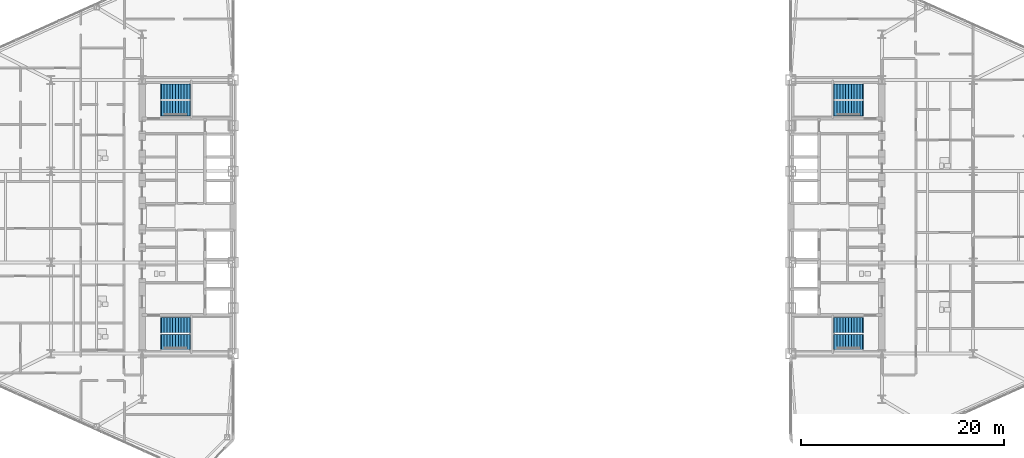
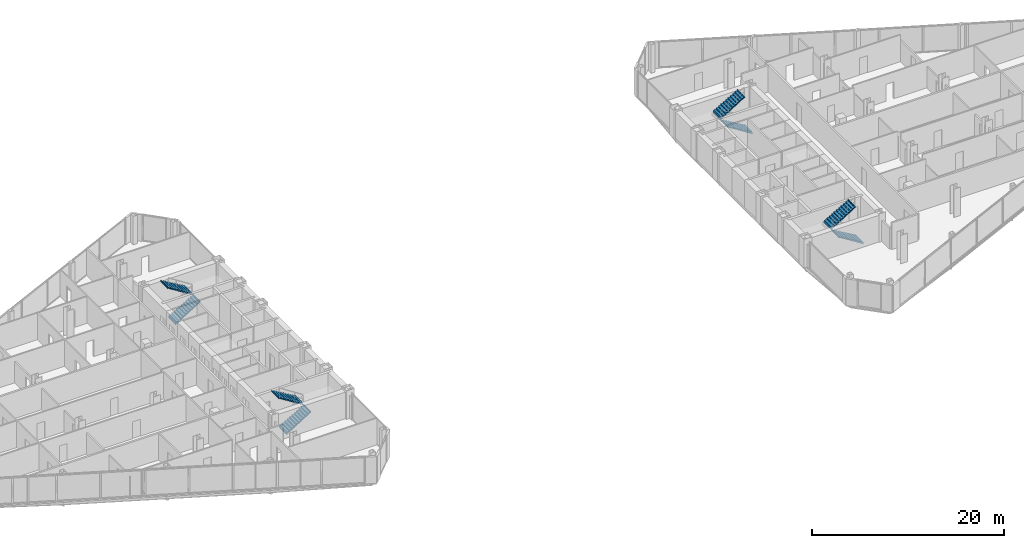
# One storey, part 25 of 27: 8 stair flights, 4 elements without a shape of their own.
"""IFC4 building model written with IfcOpenShell, lengths in metres."""

from ifc_helpers import new_model, si_unit, direction, frame, origin, place, context, subcontext, project, spatial, polyline, outline, extrude, material, type_object, element, aggregate, save


model = new_model("IFC4")

# Units and contexts
model_context = context("Model", 3, precision=1e-05, world=origin(), true_north=direction((0.0, 1.0)))
body_context = subcontext(model_context, "Body", "Model", "MODEL_VIEW")
ifc_project = project(units=[si_unit("LENGTHUNIT", "METRE"), si_unit("AREAUNIT", "SQUARE_METRE"), si_unit("VOLUMEUNIT", "CUBIC_METRE"), si_unit("PLANEANGLEUNIT", "RADIAN"), si_unit("MASSUNIT", "GRAM", prefix="KILO")], contexts=[model_context])

# Site, building, storey
site_placement = place(None, origin())
site = spatial("IfcSite", under=ifc_project, at=site_placement, CompositionType="ELEMENT")
building_placement = place(site_placement, origin())
building = spatial("IfcBuilding", under=site, at=building_placement, Name="Seokmaru Belvedere", CompositionType="ELEMENT")
storey_placement = place(building_placement, frame((0.0, 0.0, 103.199951171875)))
storey = spatial("IfcBuildingStorey", under=building, at=storey_placement, Name="L27", CompositionType="ELEMENT", Elevation=103.199951171875)

# Stair, stair flights
ifc_material = material(Name="Concrete C40 (40 MPa)", Category="concrete")
stair_type = type_object("IfcStairType", Name="Typical Tower Core Dog-Leg Stair 3600", PredefinedType="TWO_STRAIGHT_RUN_STAIR", material=ifc_material)
stair_1_placement = place(storey_placement, origin())
stair_1 = element("IfcStair", 1, at=stair_1_placement, inside=storey, type_object=stair_type, Name="L27 Special Escape Stair ST-W1", PredefinedType="TWO_STRAIGHT_RUN_STAIR")
stair_flight_type = type_object("IfcStairFlightType", Name="Reinforced Concrete Stair Flight 1500", PredefinedType="STRAIGHT", material=ifc_material)
stair_flight_1_placement = place(storey_placement, frame((-34.60009765625, -12.35009765625, 0.0), z_axis=(0.0, 0.0, 1.0), x_axis=(1.0, 0.0, 0.0)))
stair_flight_1 = element("IfcStairFlight", 2, at=stair_flight_1_placement, type_object=stair_flight_type, Name="ST-W1 flight 1", NumberOfRisers=11, NumberOfTreads=10, PredefinedType="STRAIGHT", RiserHeight=0.163636364, TreadLength=0.28, context=body_context, shape_type="SweptSolid", body=[
    extrude(outline(polyline([(-0.080078125, 0.0), (0.0, 0.16357421875), (0.280029296875, 0.16357421875), (0.280029296875, 0.327392578125), (0.56005859375, 0.327392578125), (0.56005859375, 0.490966796875), (0.840087890625, 0.490966796875), (0.840087890625, 0.654541015625), (1.1201171875, 0.654541015625), (1.1201171875, 0.818115234375), (1.39990234375, 0.818115234375), (1.39990234375, 0.98193359375), (1.679931640625, 0.98193359375), (1.679931640625, 1.1455078125), (1.9599609375, 1.1455078125), (1.9599609375, 1.30908203125), (2.239990234375, 1.30908203125), (2.239990234375, 1.47265625), (2.52001953125, 1.47265625), (2.52001953125, 1.636474609375), (2.800048828125, 1.636474609375), (2.800048828125, 1.800048828125), (2.8798828125, 1.800048828125), (2.8798828125, 1.610107421875), (2.800048828125, 1.610107421875), (0.0, -0.159912109375), (-0.080078125, -0.159912109375), (-0.080078125, 0.0)])), frame((0.0, 0.75, 0.0), z_axis=(0.0, -1.0, 0.0), x_axis=(1.0, 0.0, 0.0)), (0.0, 0.0, 1.0), 1.5),
])
stair_flight_2_placement = place(storey_placement, frame((-31.800048828125, -10.7099609375, 1.800048828125), z_axis=(0.0, 0.0, 1.0), x_axis=(-1.0, 0.0, 0.0)))
stair_flight_2 = element("IfcStairFlight", 3, at=stair_flight_2_placement, type_object=stair_flight_type, Name="ST-W1 flight 2", NumberOfRisers=11, NumberOfTreads=10, PredefinedType="STRAIGHT", RiserHeight=0.163636364, TreadLength=0.28, context=body_context, shape_type="SweptSolid", body=[
    extrude(outline(polyline([(-0.080078125, 0.0), (0.0, 0.16357421875), (0.280029296875, 0.16357421875), (0.280029296875, 0.327392578125), (0.56005859375, 0.327392578125), (0.56005859375, 0.490966796875), (0.840087890625, 0.490966796875), (0.840087890625, 0.654541015625), (1.1201171875, 0.654541015625), (1.1201171875, 0.818115234375), (1.39990234375, 0.818115234375), (1.39990234375, 0.98193359375), (1.679931640625, 0.98193359375), (1.679931640625, 1.1455078125), (1.9599609375, 1.1455078125), (1.9599609375, 1.30908203125), (2.239990234375, 1.30908203125), (2.239990234375, 1.47265625), (2.52001953125, 1.47265625), (2.52001953125, 1.636474609375), (2.800048828125, 1.636474609375), (2.800048828125, 1.800048828125), (2.8798828125, 1.800048828125), (2.8798828125, 1.610107421875), (2.800048828125, 1.610107421875), (0.0, -0.159912109375), (-0.080078125, -0.159912109375), (-0.080078125, 0.0)])), frame((0.0, 0.75, 0.0), z_axis=(0.0, -1.0, 0.0), x_axis=(1.0, 0.0, 0.0)), (0.0, 0.0, 1.0), 1.5),
])
aggregate(stair_1, [stair_flight_1, stair_flight_2])

stair_2_placement = place(storey_placement, origin())
stair_2 = element("IfcStair", 4, at=stair_2_placement, inside=storey, type_object=stair_type, Name="L27 Special Escape Stair ST-W2", PredefinedType="TWO_STRAIGHT_RUN_STAIR")
stair_flight_3_placement = place(storey_placement, frame((-34.60009765625, 10.7099609375, 0.0), z_axis=(0.0, 0.0, 1.0), x_axis=(1.0, 0.0, 0.0)))
stair_flight_3 = element("IfcStairFlight", 5, at=stair_flight_3_placement, type_object=stair_flight_type, Name="ST-W2 flight 1", NumberOfRisers=11, NumberOfTreads=10, PredefinedType="STRAIGHT", RiserHeight=0.163636364, TreadLength=0.28, context=body_context, shape_type="SweptSolid", body=[
    extrude(outline(polyline([(-0.080078125, 0.0), (0.0, 0.16357421875), (0.280029296875, 0.16357421875), (0.280029296875, 0.327392578125), (0.56005859375, 0.327392578125), (0.56005859375, 0.490966796875), (0.840087890625, 0.490966796875), (0.840087890625, 0.654541015625), (1.1201171875, 0.654541015625), (1.1201171875, 0.818115234375), (1.39990234375, 0.818115234375), (1.39990234375, 0.98193359375), (1.679931640625, 0.98193359375), (1.679931640625, 1.1455078125), (1.9599609375, 1.1455078125), (1.9599609375, 1.30908203125), (2.239990234375, 1.30908203125), (2.239990234375, 1.47265625), (2.52001953125, 1.47265625), (2.52001953125, 1.636474609375), (2.800048828125, 1.636474609375), (2.800048828125, 1.800048828125), (2.8798828125, 1.800048828125), (2.8798828125, 1.610107421875), (2.800048828125, 1.610107421875), (0.0, -0.159912109375), (-0.080078125, -0.159912109375), (-0.080078125, 0.0)])), frame((0.0, 0.75, 0.0), z_axis=(0.0, -1.0, 0.0), x_axis=(1.0, 0.0, 0.0)), (0.0, 0.0, 1.0), 1.5),
])
stair_flight_4_placement = place(storey_placement, frame((-31.800048828125, 12.35009765625, 1.800048828125), z_axis=(0.0, 0.0, 1.0), x_axis=(-1.0, 0.0, 0.0)))
stair_flight_4 = element("IfcStairFlight", 6, at=stair_flight_4_placement, type_object=stair_flight_type, Name="ST-W2 flight 2", NumberOfRisers=11, NumberOfTreads=10, PredefinedType="STRAIGHT", RiserHeight=0.163636364, TreadLength=0.28, context=body_context, shape_type="SweptSolid", body=[
    extrude(outline(polyline([(-0.080078125, 0.0), (0.0, 0.16357421875), (0.280029296875, 0.16357421875), (0.280029296875, 0.327392578125), (0.56005859375, 0.327392578125), (0.56005859375, 0.490966796875), (0.840087890625, 0.490966796875), (0.840087890625, 0.654541015625), (1.1201171875, 0.654541015625), (1.1201171875, 0.818115234375), (1.39990234375, 0.818115234375), (1.39990234375, 0.98193359375), (1.679931640625, 0.98193359375), (1.679931640625, 1.1455078125), (1.9599609375, 1.1455078125), (1.9599609375, 1.30908203125), (2.239990234375, 1.30908203125), (2.239990234375, 1.47265625), (2.52001953125, 1.47265625), (2.52001953125, 1.636474609375), (2.800048828125, 1.636474609375), (2.800048828125, 1.800048828125), (2.8798828125, 1.800048828125), (2.8798828125, 1.610107421875), (2.800048828125, 1.610107421875), (0.0, -0.159912109375), (-0.080078125, -0.159912109375), (-0.080078125, 0.0)])), frame((0.0, 0.75, 0.0), z_axis=(0.0, -1.0, 0.0), x_axis=(1.0, 0.0, 0.0)), (0.0, 0.0, 1.0), 1.5),
])
aggregate(stair_2, [stair_flight_3, stair_flight_4])

stair_3_placement = place(storey_placement, origin())
stair_3 = element("IfcStair", 7, at=stair_3_placement, inside=storey, type_object=stair_type, Name="L27 Special Escape Stair ST-E1", PredefinedType="TWO_STRAIGHT_RUN_STAIR")
stair_flight_5_placement = place(storey_placement, frame((34.60009765625, -12.35009765625, 0.0), z_axis=(0.0, 0.0, 1.0), x_axis=(-1.0, 0.0, 0.0)))
stair_flight_5 = element("IfcStairFlight", 8, at=stair_flight_5_placement, type_object=stair_flight_type, Name="ST-E1 flight 1", NumberOfRisers=11, NumberOfTreads=10, PredefinedType="STRAIGHT", RiserHeight=0.163636364, TreadLength=0.28, context=body_context, shape_type="SweptSolid", body=[
    extrude(outline(polyline([(-0.080078125, 0.0), (0.0, 0.16357421875), (0.280029296875, 0.16357421875), (0.280029296875, 0.327392578125), (0.56005859375, 0.327392578125), (0.56005859375, 0.490966796875), (0.840087890625, 0.490966796875), (0.840087890625, 0.654541015625), (1.1201171875, 0.654541015625), (1.1201171875, 0.818115234375), (1.39990234375, 0.818115234375), (1.39990234375, 0.98193359375), (1.679931640625, 0.98193359375), (1.679931640625, 1.1455078125), (1.9599609375, 1.1455078125), (1.9599609375, 1.30908203125), (2.239990234375, 1.30908203125), (2.239990234375, 1.47265625), (2.52001953125, 1.47265625), (2.52001953125, 1.636474609375), (2.800048828125, 1.636474609375), (2.800048828125, 1.800048828125), (2.8798828125, 1.800048828125), (2.8798828125, 1.610107421875), (2.800048828125, 1.610107421875), (0.0, -0.159912109375), (-0.080078125, -0.159912109375), (-0.080078125, 0.0)])), frame((0.0, 0.75, 0.0), z_axis=(0.0, -1.0, 0.0), x_axis=(1.0, 0.0, 0.0)), (0.0, 0.0, 1.0), 1.5),
])
stair_flight_6_placement = place(storey_placement, frame((31.800048828125, -10.7099609375, 1.800048828125), z_axis=(0.0, 0.0, 1.0), x_axis=(1.0, 0.0, 0.0)))
stair_flight_6 = element("IfcStairFlight", 9, at=stair_flight_6_placement, type_object=stair_flight_type, Name="ST-E1 flight 2", NumberOfRisers=11, NumberOfTreads=10, PredefinedType="STRAIGHT", RiserHeight=0.163636364, TreadLength=0.28, context=body_context, shape_type="SweptSolid", body=[
    extrude(outline(polyline([(-0.080078125, 0.0), (0.0, 0.16357421875), (0.280029296875, 0.16357421875), (0.280029296875, 0.327392578125), (0.56005859375, 0.327392578125), (0.56005859375, 0.490966796875), (0.840087890625, 0.490966796875), (0.840087890625, 0.654541015625), (1.1201171875, 0.654541015625), (1.1201171875, 0.818115234375), (1.39990234375, 0.818115234375), (1.39990234375, 0.98193359375), (1.679931640625, 0.98193359375), (1.679931640625, 1.1455078125), (1.9599609375, 1.1455078125), (1.9599609375, 1.30908203125), (2.239990234375, 1.30908203125), (2.239990234375, 1.47265625), (2.52001953125, 1.47265625), (2.52001953125, 1.636474609375), (2.800048828125, 1.636474609375), (2.800048828125, 1.800048828125), (2.8798828125, 1.800048828125), (2.8798828125, 1.610107421875), (2.800048828125, 1.610107421875), (0.0, -0.159912109375), (-0.080078125, -0.159912109375), (-0.080078125, 0.0)])), frame((0.0, 0.75, 0.0), z_axis=(0.0, -1.0, 0.0), x_axis=(1.0, 0.0, 0.0)), (0.0, 0.0, 1.0), 1.5),
])
aggregate(stair_3, [stair_flight_5, stair_flight_6])

stair_4_placement = place(storey_placement, origin())
stair_4 = element("IfcStair", 10, at=stair_4_placement, inside=storey, type_object=stair_type, Name="L27 Special Escape Stair ST-E2", PredefinedType="TWO_STRAIGHT_RUN_STAIR")
stair_flight_7_placement = place(storey_placement, frame((34.60009765625, 10.7099609375, 0.0), z_axis=(0.0, 0.0, 1.0), x_axis=(-1.0, 0.0, 0.0)))
stair_flight_7 = element("IfcStairFlight", 11, at=stair_flight_7_placement, type_object=stair_flight_type, Name="ST-E2 flight 1", NumberOfRisers=11, NumberOfTreads=10, PredefinedType="STRAIGHT", RiserHeight=0.163636364, TreadLength=0.28, context=body_context, shape_type="SweptSolid", body=[
    extrude(outline(polyline([(-0.080078125, 0.0), (0.0, 0.16357421875), (0.280029296875, 0.16357421875), (0.280029296875, 0.327392578125), (0.56005859375, 0.327392578125), (0.56005859375, 0.490966796875), (0.840087890625, 0.490966796875), (0.840087890625, 0.654541015625), (1.1201171875, 0.654541015625), (1.1201171875, 0.818115234375), (1.39990234375, 0.818115234375), (1.39990234375, 0.98193359375), (1.679931640625, 0.98193359375), (1.679931640625, 1.1455078125), (1.9599609375, 1.1455078125), (1.9599609375, 1.30908203125), (2.239990234375, 1.30908203125), (2.239990234375, 1.47265625), (2.52001953125, 1.47265625), (2.52001953125, 1.636474609375), (2.800048828125, 1.636474609375), (2.800048828125, 1.800048828125), (2.8798828125, 1.800048828125), (2.8798828125, 1.610107421875), (2.800048828125, 1.610107421875), (0.0, -0.159912109375), (-0.080078125, -0.159912109375), (-0.080078125, 0.0)])), frame((0.0, 0.75, 0.0), z_axis=(0.0, -1.0, 0.0), x_axis=(1.0, 0.0, 0.0)), (0.0, 0.0, 1.0), 1.5),
])
stair_flight_8_placement = place(storey_placement, frame((31.800048828125, 12.35009765625, 1.800048828125), z_axis=(0.0, 0.0, 1.0), x_axis=(1.0, 0.0, 0.0)))
stair_flight_8 = element("IfcStairFlight", 12, at=stair_flight_8_placement, type_object=stair_flight_type, Name="ST-E2 flight 2", NumberOfRisers=11, NumberOfTreads=10, PredefinedType="STRAIGHT", RiserHeight=0.163636364, TreadLength=0.28, context=body_context, shape_type="SweptSolid", body=[
    extrude(outline(polyline([(-0.080078125, 0.0), (0.0, 0.16357421875), (0.280029296875, 0.16357421875), (0.280029296875, 0.327392578125), (0.56005859375, 0.327392578125), (0.56005859375, 0.490966796875), (0.840087890625, 0.490966796875), (0.840087890625, 0.654541015625), (1.1201171875, 0.654541015625), (1.1201171875, 0.818115234375), (1.39990234375, 0.818115234375), (1.39990234375, 0.98193359375), (1.679931640625, 0.98193359375), (1.679931640625, 1.1455078125), (1.9599609375, 1.1455078125), (1.9599609375, 1.30908203125), (2.239990234375, 1.30908203125), (2.239990234375, 1.47265625), (2.52001953125, 1.47265625), (2.52001953125, 1.636474609375), (2.800048828125, 1.636474609375), (2.800048828125, 1.800048828125), (2.8798828125, 1.800048828125), (2.8798828125, 1.610107421875), (2.800048828125, 1.610107421875), (0.0, -0.159912109375), (-0.080078125, -0.159912109375), (-0.080078125, 0.0)])), frame((0.0, 0.75, 0.0), z_axis=(0.0, -1.0, 0.0), x_axis=(1.0, 0.0, 0.0)), (0.0, 0.0, 1.0), 1.5),
])
aggregate(stair_4, [stair_flight_7, stair_flight_8])

save(model, "model.ifc")
